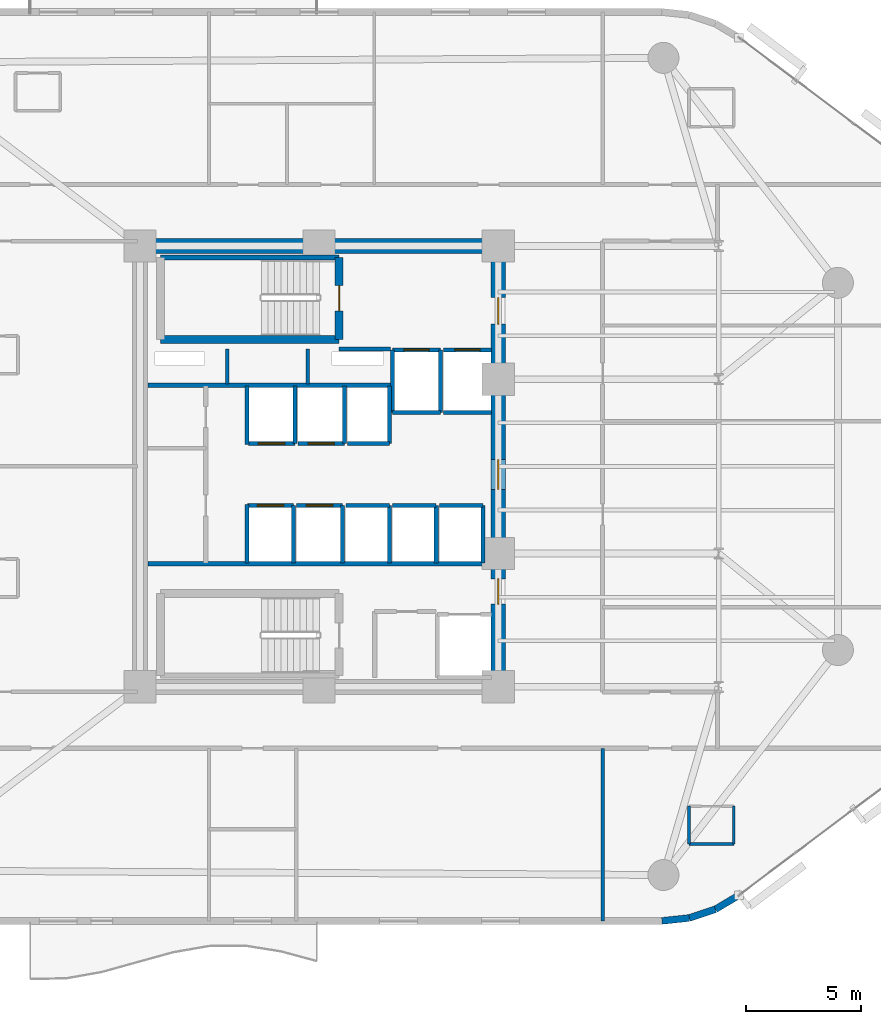
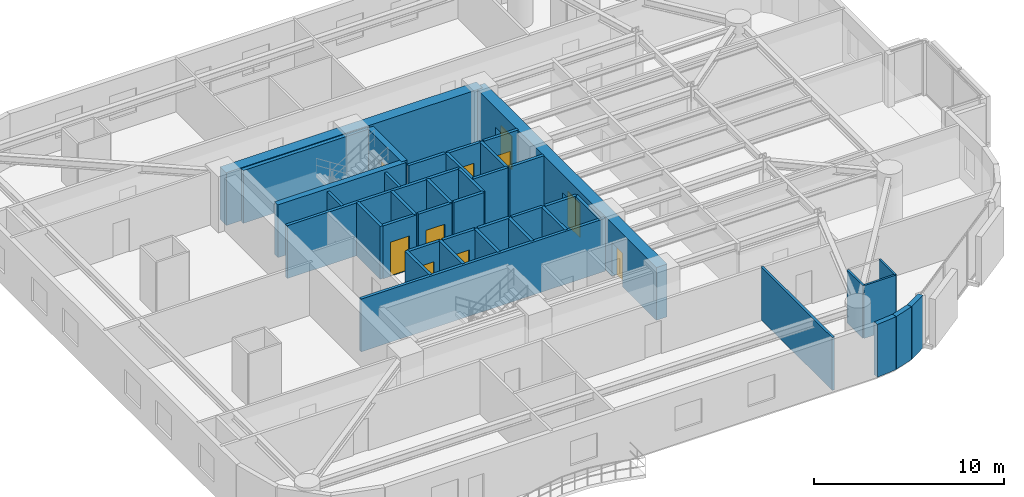
# One storey, part 9 of 13: 41 walls, 10 doors, 10 openings.
"""IFC4 building model written with IfcOpenShell, lengths in metres."""

from ifc_helpers import new_model, si_unit, direction, frame, frame_2d, origin, place, context, subcontext, project, spatial, rectangle, extrude, material, layer, layer_set, type_object, element, fill, save


model = new_model("IFC4")

# Units and contexts
model_context = context("Model", 3, precision=1e-05, world=origin(), true_north=direction((0.0, 1.0)))
body_context = subcontext(model_context, "Body", "Model", "MODEL_VIEW")
ifc_project = project(units=[si_unit("LENGTHUNIT", "METRE"), si_unit("AREAUNIT", "SQUARE_METRE"), si_unit("VOLUMEUNIT", "CUBIC_METRE"), si_unit("PLANEANGLEUNIT", "RADIAN"), si_unit("MASSUNIT", "GRAM", prefix="KILO")], contexts=[model_context])

# Site, building, storey
site_placement = place(None, origin())
site = spatial("IfcSite", under=ifc_project, at=site_placement, CompositionType="ELEMENT")
building_placement = place(site_placement, origin())
building = spatial("IfcBuilding", under=site, at=building_placement, Name="An Khanh Terracotta Commons", CompositionType="ELEMENT")
storey_placement = place(building_placement, frame((0.0, 0.0, 125.89990234375)))
storey = spatial("IfcBuildingStorey", under=building, at=storey_placement, Name="L33", CompositionType="ELEMENT", Elevation=125.89990234375)

# Wall
ifc_material_1 = material(Name="Concrete C60/75", Category="concrete")
ifc_layer_1 = layer(ifc_material_1, 0.64990234375, Name="Concrete C60/75")
ifc_layer_set_1 = layer_set([ifc_layer_1], Name="Concrete C60/75")
wall_type_1 = type_object("IfcWallType", Name="WALL-CORE-650", PredefinedType="SHEAR", material=ifc_layer_set_1)
wall_1_placement = place(storey_placement, frame((21.60009765625, 33.60009765625, 0.0), z_axis=(0.0, 0.0, 1.0), x_axis=(1.0, 0.0, 0.0)))
element("IfcWall", 1, at=wall_1_placement, inside=storey, type_object=wall_type_1, Name="L33 Core Wall CWALL-L33-N", PredefinedType="SHEAR", context=body_context, shape_type="SweptSolid", body=[
    extrude(rectangle(XDim=15.599853515625, YDim=0.64990234375, at=frame_2d((7.7998046875, 0.0))), origin(), (0.0, 0.0, 1.0), 3.400146484375),
])

# Wall, openings, doors
wall_2_placement = place(storey_placement, frame((37.199951171875, 14.39990234375, 0.0), z_axis=(0.0, 0.0, 1.0), x_axis=(0.0, 1.0, 0.0)))
wall_2 = element("IfcWall", 2, at=wall_2_placement, inside=storey, type_object=wall_type_1, Name="L33 Core Wall CWALL-L33-E", PredefinedType="SHEAR", context=body_context, shape_type="SweptSolid", body=[
    extrude(rectangle(XDim=19.2001953125, YDim=0.64990234375, at=frame_2d((9.60009765625, 0.0))), origin(), (0.0, 0.0, 1.0), 3.400146484375),
])
opening_1_placement = place(wall_2_placement, frame((15.800048828125, 0.0, 0.0)))
opening_1 = element("IfcOpeningElement", 3, at=opening_1_placement, cuts=wall_2, Name="Opening D-FFL", PredefinedType="OPENING", context=body_context, shape_type="SweptSolid", body=[
    extrude(rectangle(XDim=1.14990234375, YDim=2.14990234375, at=frame_2d((0.574951171875, 1.074951171875))), frame((0.0, 0.3349609375, 0.0), z_axis=(0.0, -1.0, 0.0), x_axis=(1.0, 0.0, 0.0)), (0.0, 0.0, 1.0), 0.669921875),
])
opening_2_placement = place(wall_2_placement, frame((3.60009765625, 0.0, 0.0)))
opening_2 = element("IfcOpeningElement", 4, at=opening_2_placement, cuts=wall_2, Name="Opening D-ST", PredefinedType="OPENING", context=body_context, shape_type="SweptSolid", body=[
    extrude(rectangle(XDim=1.10009765625, YDim=2.14990234375, at=frame_2d((0.550048828125, 1.074951171875))), frame((0.0, 0.3349609375, 0.0), z_axis=(0.0, -1.0, 0.0), x_axis=(1.0, 0.0, 0.0)), (0.0, 0.0, 1.0), 0.669921875),
])
opening_3_placement = place(wall_2_placement, frame((8.60009765625, 0.0, 0.0)))
opening_3 = element("IfcOpeningElement", 5, at=opening_3_placement, cuts=wall_2, Name="Opening D-COR", PredefinedType="OPENING", context=body_context, shape_type="SweptSolid", body=[
    extrude(rectangle(XDim=1.300048828125, YDim=2.199951171875, at=frame_2d((0.64990234375, 1.10009765625))), frame((0.0, 0.3349609375, 0.0), z_axis=(0.0, -1.0, 0.0), x_axis=(1.0, 0.0, 0.0)), (0.0, 0.0, 1.0), 0.669921875),
])
ifc_material_2 = material(Name="Fire-Rated Glazed Steel Double Door", Category="steel")
door_type_1 = type_object("IfcDoorType", Name="DOOR-CORR-1300", OperationType="NOTDEFINED", PredefinedType="DOOR", material=ifc_material_2)
door_1_placement = place(opening_3_placement, origin())
door_1 = element("IfcDoor", 6, at=door_1_placement, inside=storey, type_object=door_type_1, Name="L33 Passenger Lift Lobby Double Door", OperationType="DOUBLE_DOOR_SINGLE_SWING", OverallHeight=2.199951171875, OverallWidth=1.300048828125, PredefinedType="DOOR", context=body_context, shape_type="SweptSolid", body=[
    extrude(rectangle(XDim=1.300048828125, YDim=2.199951171875, at=frame_2d((0.64990234375, 1.10009765625))), frame((0.0, 0.02490234375, 0.0), z_axis=(0.0, -1.0, 0.0), x_axis=(1.0, 0.0, 0.0)), (0.0, 0.0, 1.0), 0.050048828125),
])
fill(opening_3, door_1)
ifc_material_3 = material(Name="Fire-Rated Steel Leaf and Vision Panel", Category="steel")
door_type_2 = type_object("IfcDoorType", Name="DOOR-FFL-1150", OperationType="NOTDEFINED", PredefinedType="DOOR", material=ifc_material_3)
door_2_placement = place(opening_1_placement, origin())
door_2 = element("IfcDoor", 7, at=door_2_placement, inside=storey, type_object=door_type_2, Name="L33 Firefighting Lift Lobby Fire Door", OperationType="SINGLE_SWING_LEFT", OverallHeight=2.14990234375, OverallWidth=1.14990234375, PredefinedType="DOOR", context=body_context, shape_type="SweptSolid", body=[
    extrude(rectangle(XDim=1.14990234375, YDim=2.14990234375, at=frame_2d((0.574951171875, 1.074951171875))), frame((0.0, 0.02490234375, 0.0), z_axis=(0.0, -1.0, 0.0), x_axis=(1.0, 0.0, 0.0)), (0.0, 0.0, 1.0), 0.050048828125),
])
fill(opening_1, door_2)
ifc_material_4 = material(Name="Fire-Rated Steel Leaf and Frame", Category="steel")
door_type_3 = type_object("IfcDoorType", Name="DOOR-STAIR-1100", OperationType="NOTDEFINED", PredefinedType="DOOR", material=ifc_material_4)
door_3_placement = place(opening_2_placement, origin())
door_3 = element("IfcDoor", 8, at=door_3_placement, inside=storey, type_object=door_type_3, Name="L33 South Stair Lobby Fire Door", OperationType="SINGLE_SWING_RIGHT", OverallHeight=2.14990234375, OverallWidth=1.10009765625, PredefinedType="DOOR", context=body_context, shape_type="SweptSolid", body=[
    extrude(rectangle(XDim=1.10009765625, YDim=2.14990234375, at=frame_2d((0.550048828125, 1.074951171875))), frame((0.0, 0.02490234375, 0.0), z_axis=(0.0, -1.0, 0.0), x_axis=(1.0, 0.0, 0.0)), (0.0, 0.0, 1.0), 0.050048828125),
])
fill(opening_2, door_3)

# Walls
ifc_material_5 = material(Name="Fire-Rated Gypsum Board on Steel Stud", Category="steel")
ifc_layer_2 = layer(ifc_material_5, 0.179931640625, Name="Fire-Rated Gypsum Board on Steel Stud")
ifc_layer_set_2 = layer_set([ifc_layer_2], Name="Fire-Rated Gypsum Board on Steel Stud")
wall_type_2 = type_object("IfcWallType", Name="WALL-CORR-180", PredefinedType="PARTITIONING", material=ifc_layer_set_2)
wall_3_placement = place(storey_placement, frame((30.27001953125, 29.1201171875, 0.0), z_axis=(0.0, 0.0, 1.0), x_axis=(1.0, 0.0, 0.0)))
element("IfcWall", 9, at=wall_3_placement, inside=storey, type_object=wall_type_2, Name="L33 Core Wall FFLW-L33-S", PredefinedType="PARTITIONING", context=body_context, shape_type="SweptSolid", body=[
    extrude(rectangle(XDim=2.239990234375, YDim=0.179931640625, at=frame_2d((1.1201171875, 0.0))), origin(), (0.0, 0.0, 1.0), 3.400146484375),
])
wall_4_placement = place(storey_placement, frame((21.949951171875, 27.5400390625, 0.0), z_axis=(0.0, 0.0, 1.0), x_axis=(1.0, 0.0, 0.0)))
element("IfcWall", 10, at=wall_4_placement, inside=storey, type_object=wall_type_2, Name="L33 Core Wall RSRW-L33-S", PredefinedType="PARTITIONING", context=body_context, shape_type="SweptSolid", body=[
    extrude(rectangle(XDim=10.56005859375, YDim=0.179931640625, at=frame_2d((5.280029296875, 0.0))), origin(), (0.0, 0.0, 1.0), 3.400146484375),
])
wall_5_placement = place(storey_placement, frame((21.949951171875, 19.760009765625, 0.0), z_axis=(0.0, 0.0, 1.0), x_axis=(1.0, 0.0, 0.0)))
element("IfcWall", 11, at=wall_5_placement, inside=storey, type_object=wall_type_2, Name="L33 Core Wall SVW-L33-N", PredefinedType="PARTITIONING", context=body_context, shape_type="SweptSolid", body=[
    extrude(rectangle(XDim=14.8701171875, YDim=0.179931640625, at=frame_2d((7.43505859375, 0.0))), origin(), (0.0, 0.0, 1.0), 3.400146484375),
])

# Wall, opening, door
wall_6_placement = place(storey_placement, frame((32.60009765625, 29.080078125, 0.0), z_axis=(0.0, 0.0, 1.0), x_axis=(1.0, 0.0, 0.0)))
wall_6 = element("IfcWall", 12, at=wall_6_placement, inside=storey, type_object=wall_type_2, Name="L33 Core Wall LSH-L33-FFL-01-N", PredefinedType="PARTITIONING", context=body_context, shape_type="SweptSolid", body=[
    extrude(rectangle(XDim=2.079833984375, YDim=0.179931640625, at=frame_2d((1.0400390625, 0.0))), origin(), (0.0, 0.0, 1.0), 3.400146484375),
])
opening_4_placement = place(wall_6_placement, frame((0.489990234375, 0.0, 0.0)))
opening_4 = element("IfcOpeningElement", 13, at=opening_4_placement, cuts=wall_6, Name="Opening LD-FFL-01-L33", PredefinedType="OPENING", context=body_context, shape_type="SweptSolid", body=[
    extrude(rectangle(XDim=1.10009765625, YDim=2.199951171875, at=frame_2d((0.550048828125, 1.10009765625))), frame((0.0, 0.099853515625, 0.0), z_axis=(0.0, -1.0, 0.0), x_axis=(1.0, 0.0, 0.0)), (0.0, 0.0, 1.0), 0.199951171875),
])
ifc_material_6 = material(Name="Brushed Stainless Steel Fire Landing Door", Category="steel")
door_type_4 = type_object("IfcDoorType", Name="DOOR-LD-FFL-1100", OperationType="NOTDEFINED", PredefinedType="DOOR", material=ifc_material_6)
door_4_placement = place(opening_4_placement, origin())
door_4 = element("IfcDoor", 14, at=door_4_placement, inside=storey, type_object=door_type_4, Name="L33 Lift FFL-01 Sliding Landing Door", OperationType="DOUBLE_DOOR_SLIDING", OverallHeight=2.199951171875, OverallWidth=1.10009765625, PredefinedType="DOOR", context=body_context, shape_type="SweptSolid", body=[
    extrude(rectangle(XDim=1.10009765625, YDim=2.199951171875, at=frame_2d((0.550048828125, 1.10009765625))), frame((0.0, 0.02490234375, 0.0), z_axis=(0.0, -1.0, 0.0), x_axis=(1.0, 0.0, 0.0)), (0.0, 0.0, 1.0), 0.050048828125),
])
fill(opening_4, door_4)

# Walls
wall_7_placement = place(storey_placement, frame((34.679931640625, 26.35009765625, 0.0), z_axis=(0.0, 0.0, 1.0), x_axis=(-1.0, 0.0, 0.0)))
element("IfcWall", 15, at=wall_7_placement, inside=storey, type_object=wall_type_2, Name="L33 Core Wall LSH-L33-FFL-01-S", PredefinedType="PARTITIONING", context=body_context, shape_type="SweptSolid", body=[
    extrude(rectangle(XDim=2.079833984375, YDim=0.179931640625, at=frame_2d((1.0400390625, 0.0))), origin(), (0.0, 0.0, 1.0), 3.400146484375),
])
for number, where, z_axis, x_axis, name in (
    (16, (34.679931640625, 26.35009765625, 0.0), (0.0, 0.0, 1.0), (0.0, 1.0, 0.0), "L33 Core Wall LSH-L33-FFL-01-E"),
    (17, (32.60009765625, 29.080078125, 0.0), (0.0, 0.0, 1.0), (0.0, -1.0, 0.0), "L33 Core Wall LSH-L33-FFL-01-W"),
):
    element("IfcWall", number, at=place(storey_placement, frame(where, z_axis=z_axis, x_axis=x_axis)), inside=storey, type_object=wall_type_2, Name=name, PredefinedType="PARTITIONING", context=body_context, shape_type="SweptSolid", body=[
        extrude(rectangle(XDim=2.72998046875, YDim=0.179931640625, at=frame_2d((1.364990234375, 0.0))), origin(), (0.0, 0.0, 1.0), 3.400146484375),
    ])

# Wall, opening, door
wall_8_placement = place(storey_placement, frame((34.820068359375, 29.080078125, 0.0), z_axis=(0.0, 0.0, 1.0), x_axis=(1.0, 0.0, 0.0)))
wall_8 = element("IfcWall", 18, at=wall_8_placement, inside=storey, type_object=wall_type_2, Name="L33 Core Wall LSH-L33-FFL-02-N", PredefinedType="PARTITIONING", context=body_context, shape_type="SweptSolid", body=[
    extrude(rectangle(XDim=2.079833984375, YDim=0.179931640625, at=frame_2d((1.0400390625, 0.0))), origin(), (0.0, 0.0, 1.0), 3.400146484375),
])
opening_5_placement = place(wall_8_placement, frame((0.489990234375, 0.0, 0.0)))
opening_5 = element("IfcOpeningElement", 19, at=opening_5_placement, cuts=wall_8, Name="Opening LD-FFL-02-L33", PredefinedType="OPENING", context=body_context, shape_type="SweptSolid", body=[
    extrude(rectangle(XDim=1.10009765625, YDim=2.199951171875, at=frame_2d((0.550048828125, 1.10009765625))), frame((0.0, 0.099853515625, 0.0), z_axis=(0.0, -1.0, 0.0), x_axis=(1.0, 0.0, 0.0)), (0.0, 0.0, 1.0), 0.199951171875),
])
door_5_placement = place(opening_5_placement, origin())
door_5 = element("IfcDoor", 20, at=door_5_placement, inside=storey, type_object=door_type_4, Name="L33 Lift FFL-02 Sliding Landing Door", OperationType="DOUBLE_DOOR_SLIDING", OverallHeight=2.199951171875, OverallWidth=1.10009765625, PredefinedType="DOOR", context=body_context, shape_type="SweptSolid", body=[
    extrude(rectangle(XDim=1.10009765625, YDim=2.199951171875, at=frame_2d((0.550048828125, 1.10009765625))), frame((0.0, 0.02490234375, 0.0), z_axis=(0.0, -1.0, 0.0), x_axis=(1.0, 0.0, 0.0)), (0.0, 0.0, 1.0), 0.050048828125),
])
fill(opening_5, door_5)

# Wall
wall_9_placement = place(storey_placement, frame((36.89990234375, 26.35009765625, 0.0), z_axis=(0.0, 0.0, 1.0), x_axis=(-1.0, 0.0, 0.0)))
element("IfcWall", 21, at=wall_9_placement, inside=storey, type_object=wall_type_2, Name="L33 Core Wall LSH-L33-FFL-02-S", PredefinedType="PARTITIONING", context=body_context, shape_type="SweptSolid", body=[
    extrude(rectangle(XDim=2.079833984375, YDim=0.179931640625, at=frame_2d((1.0400390625, 0.0))), origin(), (0.0, 0.0, 1.0), 3.400146484375),
])

# Wall, opening, door
wall_10_placement = place(storey_placement, frame((28.340087890625, 25.0, 0.0), z_axis=(0.0, 0.0, 1.0), x_axis=(-1.0, 0.0, 0.0)))
wall_10 = element("IfcWall", 22, at=wall_10_placement, inside=storey, type_object=wall_type_2, Name="L33 Core Wall LSH-L33-PL-M1-S", PredefinedType="PARTITIONING", context=body_context, shape_type="SweptSolid", body=[
    extrude(rectangle(XDim=2.02001953125, YDim=0.179931640625, at=frame_2d((1.010009765625, 0.0))), origin(), (0.0, 0.0, 1.0), 3.400146484375),
])
opening_6_placement = place(wall_10_placement, frame((0.43505859375, 0.0, 0.0)))
opening_6 = element("IfcOpeningElement", 23, at=opening_6_placement, cuts=wall_10, Name="Opening LD-PL-M1-L33", PredefinedType="OPENING", context=body_context, shape_type="SweptSolid", body=[
    extrude(rectangle(XDim=1.14990234375, YDim=2.199951171875, at=frame_2d((0.574951171875, 1.10009765625))), frame((0.0, 0.099853515625, 0.0), z_axis=(0.0, -1.0, 0.0), x_axis=(1.0, 0.0, 0.0)), (0.0, 0.0, 1.0), 0.199951171875),
])
ifc_material_7 = material(Name="Brushed Stainless Steel Passenger Landing Door", Category="steel")
door_type_5 = type_object("IfcDoorType", Name="DOOR-LD-PAX-1150", OperationType="NOTDEFINED", PredefinedType="DOOR", material=ifc_material_7)
door_6_placement = place(opening_6_placement, origin())
door_6 = element("IfcDoor", 24, at=door_6_placement, inside=storey, type_object=door_type_5, Name="L33 Lift PL-M1 Sliding Landing Door", OperationType="DOUBLE_DOOR_SLIDING", OverallHeight=2.199951171875, OverallWidth=1.14990234375, PredefinedType="DOOR", context=body_context, shape_type="SweptSolid", body=[
    extrude(rectangle(XDim=1.14990234375, YDim=2.199951171875, at=frame_2d((0.574951171875, 1.10009765625))), frame((0.0, 0.02490234375, 0.0), z_axis=(0.0, -1.0, 0.0), x_axis=(1.0, 0.0, 0.0)), (0.0, 0.0, 1.0), 0.050048828125),
])
fill(opening_6, door_6)

# Wall
wall_11_placement = place(storey_placement, frame((28.340087890625, 25.0, 0.0), z_axis=(0.0, 0.0, 1.0), x_axis=(0.0, 1.0, 0.0)))
element("IfcWall", 25, at=wall_11_placement, inside=storey, type_object=wall_type_2, Name="L33 Core Wall LSH-L33-PL-M1-E", PredefinedType="PARTITIONING", context=body_context, shape_type="SweptSolid", body=[
    extrude(rectangle(XDim=2.5, YDim=0.179931640625, at=frame_2d((1.25, 0.0))), origin(), (0.0, 0.0, 1.0), 3.400146484375),
])

# Wall, opening, door
wall_12_placement = place(storey_placement, frame((30.5, 25.0, 0.0), z_axis=(0.0, 0.0, 1.0), x_axis=(-1.0, 0.0, 0.0)))
wall_12 = element("IfcWall", 26, at=wall_12_placement, inside=storey, type_object=wall_type_2, Name="L33 Core Wall LSH-L33-PL-M2-S", PredefinedType="PARTITIONING", context=body_context, shape_type="SweptSolid", body=[
    extrude(rectangle(XDim=2.02001953125, YDim=0.179931640625, at=frame_2d((1.010009765625, 0.0))), origin(), (0.0, 0.0, 1.0), 3.400146484375),
])
opening_7_placement = place(wall_12_placement, frame((0.43505859375, 0.0, 0.0)))
opening_7 = element("IfcOpeningElement", 27, at=opening_7_placement, cuts=wall_12, Name="Opening LD-PL-M2-L33", PredefinedType="OPENING", context=body_context, shape_type="SweptSolid", body=[
    extrude(rectangle(XDim=1.14990234375, YDim=2.199951171875, at=frame_2d((0.574951171875, 1.10009765625))), frame((0.0, 0.099853515625, 0.0), z_axis=(0.0, -1.0, 0.0), x_axis=(1.0, 0.0, 0.0)), (0.0, 0.0, 1.0), 0.199951171875),
])
door_7_placement = place(opening_7_placement, origin())
door_7 = element("IfcDoor", 28, at=door_7_placement, inside=storey, type_object=door_type_5, Name="L33 Lift PL-M2 Sliding Landing Door", OperationType="DOUBLE_DOOR_SLIDING", OverallHeight=2.199951171875, OverallWidth=1.14990234375, PredefinedType="DOOR", context=body_context, shape_type="SweptSolid", body=[
    extrude(rectangle(XDim=1.14990234375, YDim=2.199951171875, at=frame_2d((0.574951171875, 1.10009765625))), frame((0.0, 0.02490234375, 0.0), z_axis=(0.0, -1.0, 0.0), x_axis=(1.0, 0.0, 0.0)), (0.0, 0.0, 1.0), 0.050048828125),
])
fill(opening_7, door_7)

# Wall
wall_13_placement = place(storey_placement, frame((30.5, 25.0, 0.0), z_axis=(0.0, 0.0, 1.0), x_axis=(0.0, 1.0, 0.0)))
element("IfcWall", 29, at=wall_13_placement, inside=storey, type_object=wall_type_2, Name="L33 Core Wall LSH-L33-PL-M2-E", PredefinedType="PARTITIONING", context=body_context, shape_type="SweptSolid", body=[
    extrude(rectangle(XDim=2.5, YDim=0.179931640625, at=frame_2d((1.25, 0.0))), origin(), (0.0, 0.0, 1.0), 3.400146484375),
])

# Wall, opening, door
wall_14_placement = place(storey_placement, frame((26.280029296875, 22.300048828125, 0.0), z_axis=(0.0, 0.0, 1.0), x_axis=(1.0, 0.0, 0.0)))
wall_14 = element("IfcWall", 30, at=wall_14_placement, inside=storey, type_object=wall_type_2, Name="L33 Core Wall LSH-L33-PL-M3-N", PredefinedType="PARTITIONING", context=body_context, shape_type="SweptSolid", body=[
    extrude(rectangle(XDim=2.0, YDim=0.179931640625, at=frame_2d((1.0, 0.0))), origin(), (0.0, 0.0, 1.0), 3.400146484375),
])
opening_8_placement = place(wall_14_placement, frame((0.425048828125, 0.0, 0.0)))
opening_8 = element("IfcOpeningElement", 31, at=opening_8_placement, cuts=wall_14, Name="Opening LD-PL-M3-L33", PredefinedType="OPENING", context=body_context, shape_type="SweptSolid", body=[
    extrude(rectangle(XDim=1.14990234375, YDim=2.199951171875, at=frame_2d((0.574951171875, 1.10009765625))), frame((0.0, 0.099853515625, 0.0), z_axis=(0.0, -1.0, 0.0), x_axis=(1.0, 0.0, 0.0)), (0.0, 0.0, 1.0), 0.199951171875),
])
door_8_placement = place(opening_8_placement, origin())
door_8 = element("IfcDoor", 32, at=door_8_placement, inside=storey, type_object=door_type_5, Name="L33 Lift PL-M3 Sliding Landing Door", OperationType="DOUBLE_DOOR_SLIDING", OverallHeight=2.199951171875, OverallWidth=1.14990234375, PredefinedType="DOOR", context=body_context, shape_type="SweptSolid", body=[
    extrude(rectangle(XDim=1.14990234375, YDim=2.199951171875, at=frame_2d((0.574951171875, 1.10009765625))), frame((0.0, 0.02490234375, 0.0), z_axis=(0.0, -1.0, 0.0), x_axis=(1.0, 0.0, 0.0)), (0.0, 0.0, 1.0), 0.050048828125),
])
fill(opening_8, door_8)

# Wall
wall_15_placement = place(storey_placement, frame((28.280029296875, 19.800048828125, 0.0), z_axis=(0.0, 0.0, 1.0), x_axis=(0.0, 1.0, 0.0)))
element("IfcWall", 33, at=wall_15_placement, inside=storey, type_object=wall_type_2, Name="L33 Core Wall LSH-L33-PL-M3-E", PredefinedType="PARTITIONING", context=body_context, shape_type="SweptSolid", body=[
    extrude(rectangle(XDim=2.5, YDim=0.179931640625, at=frame_2d((1.25, 0.0))), origin(), (0.0, 0.0, 1.0), 3.400146484375),
])

# Wall, opening, door
wall_16_placement = place(storey_placement, frame((28.419921875, 22.300048828125, 0.0), z_axis=(0.0, 0.0, 1.0), x_axis=(1.0, 0.0, 0.0)))
wall_16 = element("IfcWall", 34, at=wall_16_placement, inside=storey, type_object=wall_type_2, Name="L33 Core Wall LSH-L33-PL-M4-N", PredefinedType="PARTITIONING", context=body_context, shape_type="SweptSolid", body=[
    extrude(rectangle(XDim=2.0, YDim=0.179931640625, at=frame_2d((1.0, 0.0))), origin(), (0.0, 0.0, 1.0), 3.400146484375),
])
opening_9_placement = place(wall_16_placement, frame((0.425048828125, 0.0, 0.0)))
opening_9 = element("IfcOpeningElement", 35, at=opening_9_placement, cuts=wall_16, Name="Opening LD-PL-M4-L33", PredefinedType="OPENING", context=body_context, shape_type="SweptSolid", body=[
    extrude(rectangle(XDim=1.14990234375, YDim=2.199951171875, at=frame_2d((0.574951171875, 1.10009765625))), frame((0.0, 0.099853515625, 0.0), z_axis=(0.0, -1.0, 0.0), x_axis=(1.0, 0.0, 0.0)), (0.0, 0.0, 1.0), 0.199951171875),
])
door_9_placement = place(opening_9_placement, origin())
door_9 = element("IfcDoor", 36, at=door_9_placement, inside=storey, type_object=door_type_5, Name="L33 Lift PL-M4 Sliding Landing Door", OperationType="DOUBLE_DOOR_SLIDING", OverallHeight=2.199951171875, OverallWidth=1.14990234375, PredefinedType="DOOR", context=body_context, shape_type="SweptSolid", body=[
    extrude(rectangle(XDim=1.14990234375, YDim=2.199951171875, at=frame_2d((0.574951171875, 1.10009765625))), frame((0.0, 0.02490234375, 0.0), z_axis=(0.0, -1.0, 0.0), x_axis=(1.0, 0.0, 0.0)), (0.0, 0.0, 1.0), 0.050048828125),
])
fill(opening_9, door_9)

# Walls
wall_17_placement = place(storey_placement, frame((30.419921875, 19.800048828125, 0.0), z_axis=(0.0, 0.0, 1.0), x_axis=(0.0, 1.0, 0.0)))
element("IfcWall", 37, at=wall_17_placement, inside=storey, type_object=wall_type_2, Name="L33 Core Wall LSH-L33-PL-M4-E", PredefinedType="PARTITIONING", context=body_context, shape_type="SweptSolid", body=[
    extrude(rectangle(XDim=2.5, YDim=0.179931640625, at=frame_2d((1.25, 0.0))), origin(), (0.0, 0.0, 1.0), 3.400146484375),
])
wall_18_placement = place(storey_placement, frame((32.4599609375, 25.0, 0.0), z_axis=(0.0, 0.0, 1.0), x_axis=(-1.0, 0.0, 0.0)))
element("IfcWall", 38, at=wall_18_placement, inside=storey, type_object=wall_type_2, Name="L33 Core Wall LSH-L33-PL-H1-S", PredefinedType="PARTITIONING", context=body_context, shape_type="SweptSolid", body=[
    extrude(rectangle(XDim=1.820068359375, YDim=0.179931640625, at=frame_2d((0.91015625, 0.0))), origin(), (0.0, 0.0, 1.0), 3.400146484375),
])
wall_19_placement = place(storey_placement, frame((32.4599609375, 25.0, 0.0), z_axis=(0.0, 0.0, 1.0), x_axis=(0.0, 1.0, 0.0)))
element("IfcWall", 39, at=wall_19_placement, inside=storey, type_object=wall_type_2, Name="L33 Core Wall LSH-L33-PL-H1-E", PredefinedType="PARTITIONING", context=body_context, shape_type="SweptSolid", body=[
    extrude(rectangle(XDim=2.5, YDim=0.179931640625, at=frame_2d((1.25, 0.0))), origin(), (0.0, 0.0, 1.0), 3.400146484375),
])
wall_20_placement = place(storey_placement, frame((30.56005859375, 22.300048828125, 0.0), z_axis=(0.0, 0.0, 1.0), x_axis=(1.0, 0.0, 0.0)))
element("IfcWall", 40, at=wall_20_placement, inside=storey, type_object=wall_type_2, Name="L33 Core Wall LSH-L33-PL-H2-N", PredefinedType="PARTITIONING", context=body_context, shape_type="SweptSolid", body=[
    extrude(rectangle(XDim=1.89990234375, YDim=0.179931640625, at=frame_2d((0.949951171875, 0.0))), origin(), (0.0, 0.0, 1.0), 3.400146484375),
])
wall_21_placement = place(storey_placement, frame((32.4599609375, 19.800048828125, 0.0), z_axis=(0.0, 0.0, 1.0), x_axis=(0.0, 1.0, 0.0)))
element("IfcWall", 41, at=wall_21_placement, inside=storey, type_object=wall_type_2, Name="L33 Core Wall LSH-L33-PL-H2-E", PredefinedType="PARTITIONING", context=body_context, shape_type="SweptSolid", body=[
    extrude(rectangle(XDim=2.5, YDim=0.179931640625, at=frame_2d((1.25, 0.0))), origin(), (0.0, 0.0, 1.0), 3.400146484375),
])
wall_22_placement = place(storey_placement, frame((32.60009765625, 22.300048828125, 0.0), z_axis=(0.0, 0.0, 1.0), x_axis=(1.0, 0.0, 0.0)))
element("IfcWall", 42, at=wall_22_placement, inside=storey, type_object=wall_type_2, Name="L33 Core Wall LSH-L33-PL-H3-N", PredefinedType="PARTITIONING", context=body_context, shape_type="SweptSolid", body=[
    extrude(rectangle(XDim=1.89990234375, YDim=0.179931640625, at=frame_2d((0.949951171875, 0.0))), origin(), (0.0, 0.0, 1.0), 3.400146484375),
])
wall_23_placement = place(storey_placement, frame((34.5, 19.800048828125, 0.0), z_axis=(0.0, 0.0, 1.0), x_axis=(0.0, 1.0, 0.0)))
element("IfcWall", 43, at=wall_23_placement, inside=storey, type_object=wall_type_2, Name="L33 Core Wall LSH-L33-PL-H3-E", PredefinedType="PARTITIONING", context=body_context, shape_type="SweptSolid", body=[
    extrude(rectangle(XDim=2.5, YDim=0.179931640625, at=frame_2d((1.25, 0.0))), origin(), (0.0, 0.0, 1.0), 3.400146484375),
])
wall_24_placement = place(storey_placement, frame((34.639892578125, 22.300048828125, 0.0), z_axis=(0.0, 0.0, 1.0), x_axis=(1.0, 0.0, 0.0)))
element("IfcWall", 44, at=wall_24_placement, inside=storey, type_object=wall_type_2, Name="L33 Core Wall LSH-L33-PL-H4-N", PredefinedType="PARTITIONING", context=body_context, shape_type="SweptSolid", body=[
    extrude(rectangle(XDim=1.900146484375, YDim=0.179931640625, at=frame_2d((0.9501953125, 0.0))), origin(), (0.0, 0.0, 1.0), 3.400146484375),
])
wall_25_placement = place(storey_placement, frame((36.5400390625, 19.800048828125, 0.0), z_axis=(0.0, 0.0, 1.0), x_axis=(0.0, 1.0, 0.0)))
element("IfcWall", 45, at=wall_25_placement, inside=storey, type_object=wall_type_2, Name="L33 Core Wall LSH-L33-PL-H4-E", PredefinedType="PARTITIONING", context=body_context, shape_type="SweptSolid", body=[
    extrude(rectangle(XDim=2.5, YDim=0.179931640625, at=frame_2d((1.25, 0.0))), origin(), (0.0, 0.0, 1.0), 3.400146484375),
])
for number, where, z_axis, x_axis, name in (
    (46, (26.25, 24.949951171875, 0.0), (0.0, 0.0, 1.0), (0.0, 1.0, 0.0), "L33 Core Wall RECW-L33-BE1"),
    (47, (26.25, 19.800048828125, 0.0), (0.0, 0.0, 1.0), (0.0, 1.0, 0.0), "L33 Core Wall RECW-L33-BE2"),
):
    element("IfcWall", number, at=place(storey_placement, frame(where, z_axis=z_axis, x_axis=x_axis)), inside=storey, type_object=wall_type_2, Name=name, PredefinedType="PARTITIONING", context=body_context, shape_type="SweptSolid", body=[
        extrude(rectangle(XDim=2.550048828125, YDim=0.179931640625, at=frame_2d((1.27490234375, 0.0))), origin(), (0.0, 0.0, 1.0), 3.400146484375),
    ])
ifc_material_8 = material(Name="Precast concrete C40/50", Category="concrete")
ifc_layer_3 = layer(ifc_material_8, 0.300048828125, Name="Precast concrete C40/50")
ifc_layer_set_3 = layer_set([ifc_layer_3], Name="Precast concrete C40/50")
wall_type_3 = type_object("IfcWallType", Name="WALL-EXT-300", PredefinedType="SOLIDWALL", material=ifc_layer_set_3)
wall_26_placement = place(storey_placement, frame((44.3330078125, 4.199951171875, 0.0), z_axis=(0.0, 0.0, 1.0), x_axis=(0.994289103787, 0.106720092254, 0.0)))
element("IfcWall", 48, at=wall_26_placement, inside=storey, type_object=wall_type_3, Name="L33 Insulated Terracotta Exterior Wall 5", PredefinedType="SOLIDWALL", context=body_context, shape_type="SweptSolid", body=[
    extrude(rectangle(XDim=1.19873046875, YDim=0.300048828125, at=frame_2d((0.599365234375, 0.0))), origin(), (0.0, 0.0, 1.0), 3.400146484375),
])
wall_27_placement = place(storey_placement, frame((45.52490234375, 4.327880859375, 0.0), z_axis=(0.0, 0.0, 1.0), x_axis=(0.948744332129, 0.316044604847, 0.0)))
element("IfcWall", 49, at=wall_27_placement, inside=storey, type_object=wall_type_3, Name="L33 Insulated Terracotta Exterior Wall 6", PredefinedType="SOLIDWALL", context=body_context, shape_type="SweptSolid", body=[
    extrude(rectangle(XDim=1.19970703125, YDim=0.300048828125, at=frame_2d((0.599853515625, 0.0))), origin(), (0.0, 0.0, 1.0), 3.400146484375),
])
wall_28_placement = place(storey_placement, frame((46.6630859375, 4.70703125, 0.0), z_axis=(0.0, 0.0, 1.0), x_axis=(0.859320591642, 0.511437308749, 0.0)))
element("IfcWall", 50, at=wall_28_placement, inside=storey, type_object=wall_type_3, Name="L33 Insulated Terracotta Exterior Wall 7", PredefinedType="SOLIDWALL", context=body_context, shape_type="SweptSolid", body=[
    extrude(rectangle(XDim=1.19873046875, YDim=0.300048828125, at=frame_2d((0.599365234375, 0.0))), origin(), (0.0, 0.0, 1.0), 3.400146484375),
])
ifc_material_9 = material(Name="Acoustic Gypsum Board Partition")
ifc_layer_4 = layer(ifc_material_9, 0.14990234375, Name="Acoustic Gypsum Board Partition")
ifc_layer_set_4 = layer_set([ifc_layer_4], Name="Acoustic Gypsum Board Partition")
wall_type_4 = type_object("IfcWallType", Name="WALL-PART-150", PredefinedType="PARTITIONING", material=ifc_layer_set_4)
for number, where, z_axis, x_axis, name in (
    (51, (25.39990234375, 27.60009765625, 0.0), (0.0, 0.0, 1.0), (0.0, 1.0, 0.0), "L33 Core Wall RSRW-L33-D1"),
    (52, (28.89990234375, 27.60009765625, 0.0), (0.0, 0.0, 1.0), (0.0, 1.0, 0.0), "L33 Core Wall RSRW-L33-D2"),
):
    element("IfcWall", number, at=place(storey_placement, frame(where, z_axis=z_axis, x_axis=x_axis)), inside=storey, type_object=wall_type_4, Name=name, PredefinedType="PARTITIONING", context=body_context, shape_type="SweptSolid", body=[
        extrude(rectangle(XDim=1.52001953125, YDim=0.14990234375, at=frame_2d((0.760009765625, 0.0))), origin(), (0.0, 0.0, 1.0), 3.400146484375),
    ])
wall_29_placement = place(storey_placement, frame((41.75, 4.199951171875, 0.0), z_axis=(0.0, 0.0, 1.0), x_axis=(0.0, 1.0, 0.0)))
element("IfcWall", 53, at=wall_29_placement, inside=storey, type_object=wall_type_4, Name="L33 Interior Partition IW-L33-E020", PredefinedType="PARTITIONING", context=body_context, shape_type="SweptSolid", body=[
    extrude(rectangle(XDim=7.52001953125, YDim=0.14990234375, at=frame_2d((3.760009765625, 0.0))), origin(), (0.0, 0.0, 1.0), 3.400146484375),
])
ifc_material_10 = material(Name="Acoustic Double-Stud Gypsum and Mineral Wool")
ifc_layer_5 = layer(ifc_material_10, 0.219970703125, Name="Acoustic Double-Stud Gypsum and Mineral Wool")
ifc_layer_set_5 = layer_set([ifc_layer_5], Name="Acoustic Double-Stud Gypsum and Mineral Wool")
wall_type_5 = type_object("IfcWallType", Name="WALL-PARTY-220", PredefinedType="PARTITIONING", material=ifc_layer_set_5)
wall_30_placement = place(storey_placement, frame((22.47998046875, 33.110107421875, 0.0), z_axis=(0.0, 0.0, 1.0), x_axis=(1.0, 0.0, 0.0)))
element("IfcWall", 54, at=wall_30_placement, inside=storey, type_object=wall_type_5, Name="L33 Core Wall STW-L33-N-N", PredefinedType="PARTITIONING", context=body_context, shape_type="SweptSolid", body=[
    extrude(rectangle(XDim=7.7900390625, YDim=0.219970703125, at=frame_2d((3.89501953125, 0.0))), origin(), (0.0, 0.0, 1.0), 3.400146484375),
])
ifc_material_11 = material(Name="Concrete C50/60", Category="concrete")
ifc_layer_6 = layer(ifc_material_11, 0.35009765625, Name="Concrete C50/60")
ifc_layer_set_6 = layer_set([ifc_layer_6], Name="Concrete C50/60")
wall_type_6 = type_object("IfcWallType", Name="WALL-SHAFT-350", PredefinedType="SOLIDWALL", material=ifc_layer_set_6)
wall_31_placement = place(storey_placement, frame((22.47998046875, 29.530029296875, 0.0), z_axis=(0.0, 0.0, 1.0), x_axis=(1.0, 0.0, 0.0)))
element("IfcWall", 55, at=wall_31_placement, inside=storey, type_object=wall_type_6, Name="L33 Core Wall STW-L33-N-S", PredefinedType="SOLIDWALL", context=body_context, shape_type="SweptSolid", body=[
    extrude(rectangle(XDim=7.7900390625, YDim=0.35009765625, at=frame_2d((3.89501953125, 0.0))), origin(), (0.0, 0.0, 1.0), 3.400146484375),
])

# Wall, opening, door
wall_32_placement = place(storey_placement, frame((30.27001953125, 29.530029296875, 0.0), z_axis=(0.0, 0.0, 1.0), x_axis=(0.0, 1.0, 0.0)))
wall_32 = element("IfcWall", 56, at=wall_32_placement, inside=storey, type_object=wall_type_6, Name="L33 Core Wall STW-L33-N-E", PredefinedType="SOLIDWALL", context=body_context, shape_type="SweptSolid", body=[
    extrude(rectangle(XDim=3.580078125, YDim=0.35009765625, at=frame_2d((1.7900390625, 0.0))), origin(), (0.0, 0.0, 1.0), 3.400146484375),
])
opening_10_placement = place(wall_32_placement, frame((1.25, 0.0, 0.0)))
opening_10 = element("IfcOpeningElement", 57, at=opening_10_placement, cuts=wall_32, Name="Opening D-ST", PredefinedType="OPENING", context=body_context, shape_type="SweptSolid", body=[
    extrude(rectangle(XDim=1.10009765625, YDim=2.14990234375, at=frame_2d((0.550048828125, 1.074951171875))), frame((0.0, 0.18505859375, 0.0), z_axis=(0.0, -1.0, 0.0), x_axis=(1.0, 0.0, 0.0)), (0.0, 0.0, 1.0), 0.3701171875),
])
door_10_placement = place(opening_10_placement, origin())
door_10 = element("IfcDoor", 58, at=door_10_placement, inside=storey, type_object=door_type_3, Name="L33 Stair ST-01 Fire Door", OperationType="SINGLE_SWING_LEFT", OverallHeight=2.14990234375, OverallWidth=1.10009765625, PredefinedType="DOOR", context=body_context, shape_type="SweptSolid", body=[
    extrude(rectangle(XDim=1.10009765625, YDim=2.14990234375, at=frame_2d((0.550048828125, 1.074951171875))), frame((0.0, 0.02490234375, 0.0), z_axis=(0.0, -1.0, 0.0), x_axis=(1.0, 0.0, 0.0)), (0.0, 0.0, 1.0), 0.050048828125),
])
fill(opening_10, door_10)

# Walls
ifc_material_12 = material(Name="Moisture-Resistant Cement Board Partition")
ifc_layer_7 = layer(ifc_material_12, 0.1201171875, Name="Moisture-Resistant Cement Board Partition")
ifc_layer_set_7 = layer_set([ifc_layer_7], Name="Moisture-Resistant Cement Board Partition")
wall_type_7 = type_object("IfcWallType", Name="WALL-WET-120", PredefinedType="PARTITIONING", material=ifc_layer_set_7)
wall_33_placement = place(storey_placement, frame((47.466064453125, 7.549072265625, 0.0), z_axis=(0.0, 0.0, 1.0), x_axis=(-1.0, 0.0, 0.0)))
element("IfcWall", 59, at=wall_33_placement, inside=storey, type_object=wall_type_7, Name="L33 Interior Partition IW-L33-FANS-BS", PredefinedType="PARTITIONING", context=body_context, shape_type="SweptSolid", body=[
    extrude(rectangle(XDim=1.949951171875, YDim=0.1201171875, at=frame_2d((0.97509765625, 0.0))), origin(), (0.0, 0.0, 1.0), 3.400146484375),
])
for number, where, z_axis, x_axis, name in (
    (60, (45.51611328125, 9.198974609375, 0.0), (0.0, 0.0, 1.0), (0.0, -1.0, 0.0), "L33 Interior Partition IW-L33-FANS-BW"),
    (61, (47.466064453125, 7.549072265625, 0.0), (0.0, 0.0, 1.0), (0.0, 1.0, 0.0), "L33 Interior Partition IW-L33-FANS-BE"),
):
    element("IfcWall", number, at=place(storey_placement, frame(where, z_axis=z_axis, x_axis=x_axis)), inside=storey, type_object=wall_type_7, Name=name, PredefinedType="PARTITIONING", context=body_context, shape_type="SweptSolid", body=[
        extrude(rectangle(XDim=1.64990234375, YDim=0.1201171875, at=frame_2d((0.824951171875, 0.0))), origin(), (0.0, 0.0, 1.0), 3.400146484375),
    ])

save(model, "model.ifc")
